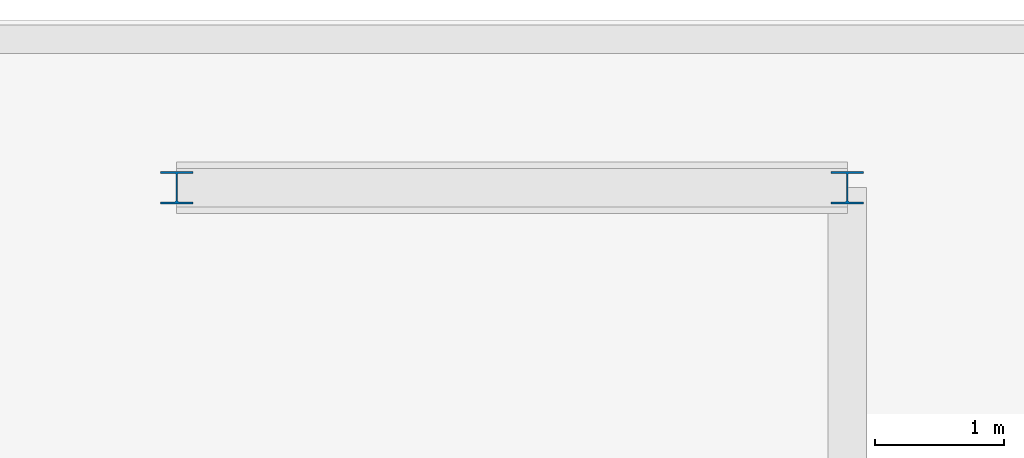
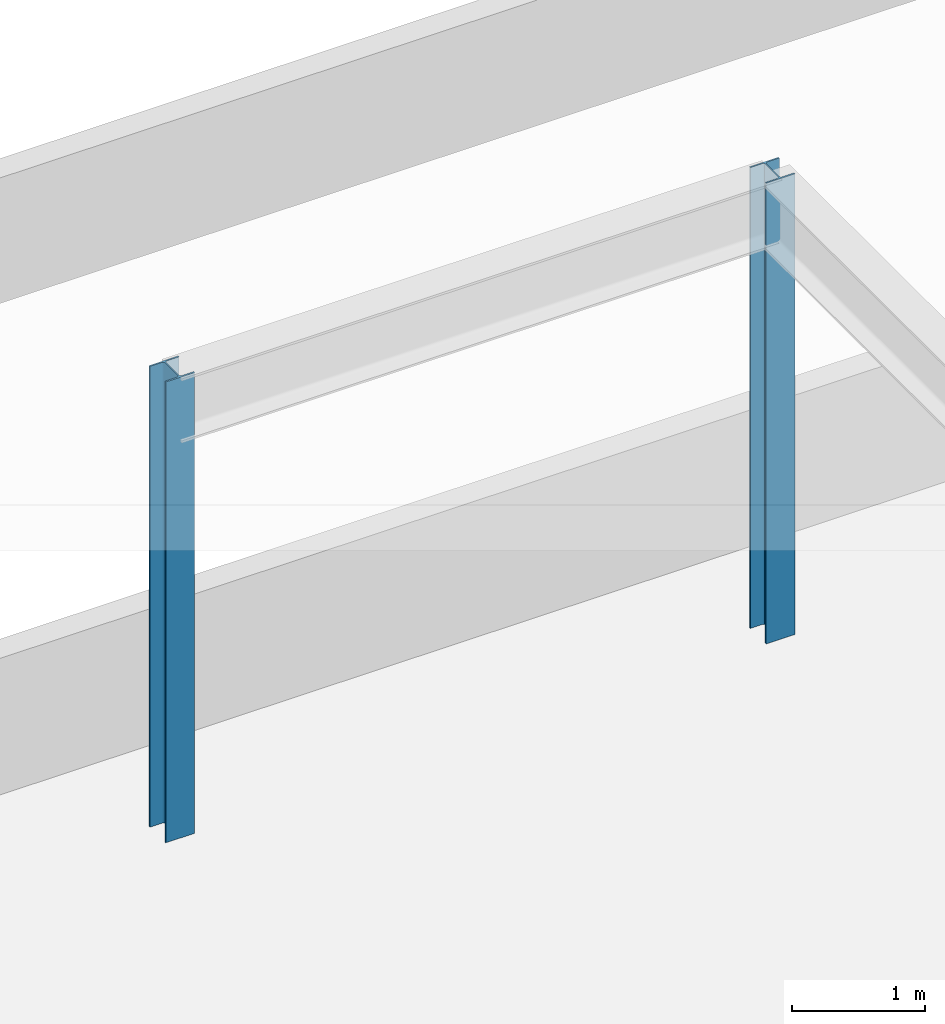
# One storey, part 4 of 6: 2 columns.
"""IFC4 building model written with IfcOpenShell, lengths in metres."""

from ifc_helpers import new_model, si_unit, direction, frame, origin, origin_2d, place, context, subcontext, project, spatial, i_section, extrude, material, material_profile, profile_set, type_object, element, save


model = new_model("IFC4")

# Units and contexts
model_context = context("Model", 3, precision=1e-05, world=origin(), true_north=direction((0.0, 1.0)))
body_context = subcontext(model_context, "Body", "Model", "MODEL_VIEW")
ifc_project = project(units=[si_unit("LENGTHUNIT", "METRE"), si_unit("AREAUNIT", "SQUARE_METRE"), si_unit("VOLUMEUNIT", "CUBIC_METRE"), si_unit("PLANEANGLEUNIT", "RADIAN"), si_unit("MASSUNIT", "GRAM", prefix="KILO")], contexts=[model_context])

# Site, building, storey
site_placement = place(None, origin())
site = spatial("IfcSite", under=ifc_project, at=site_placement, CompositionType="ELEMENT")
building_placement = place(site_placement, origin())
building = spatial("IfcBuilding", under=site, at=building_placement, Name="Khairoan Windgate Tower", CompositionType="ELEMENT")
storey_placement = place(building_placement, frame((0.0, 0.0, 339.5)))
storey = spatial("IfcBuildingStorey", under=building, at=storey_placement, Name="L81", CompositionType="ELEMENT", Elevation=339.5)

# Columns
ifc_material = material(Name="Steel S355", Category="steel")
ifc_material_profile = material_profile(ifc_material, i_section(OverallWidth=0.25, OverallDepth=0.25, WebThickness=0.009033203125, FlangeThickness=0.013916015625, FilletRadius=0.01611328125, at=origin_2d()))
ifc_profile_set = profile_set([ifc_material_profile], Name="Steel S355")
column_type = type_object("IfcColumnType", Name="Steel Column SC7 H250x250x9x14", PredefinedType="COLUMN", material=ifc_profile_set)
for number, where, z_axis, x_axis, name in (
    (1, (-9.199951171875, 18.60009765625, 0.0), (0.0, 0.0, 1.0), (1.0, 0.0, 0.0), "Column L81-02"),
    (2, (-14.39990234375, 18.60009765625, 0.0), (0.0, 0.0, 1.0), (1.0, 0.0, 0.0), "Column L81-08"),
):
    element("IfcColumn", number, at=place(storey_placement, frame(where, z_axis=z_axis, x_axis=x_axis)), inside=storey, type_object=column_type, Name=name, PredefinedType="COLUMN", context=body_context, shape_type="SweptSolid", body=[
        extrude(i_section(OverallWidth=0.25, OverallDepth=0.25, WebThickness=0.009033203125, FlangeThickness=0.013916015625, FilletRadius=0.01611328125, at=origin_2d()), origin(), (0.0, 0.0, 1.0), 4.219970703125),
    ])

save(model, "model.ifc")
